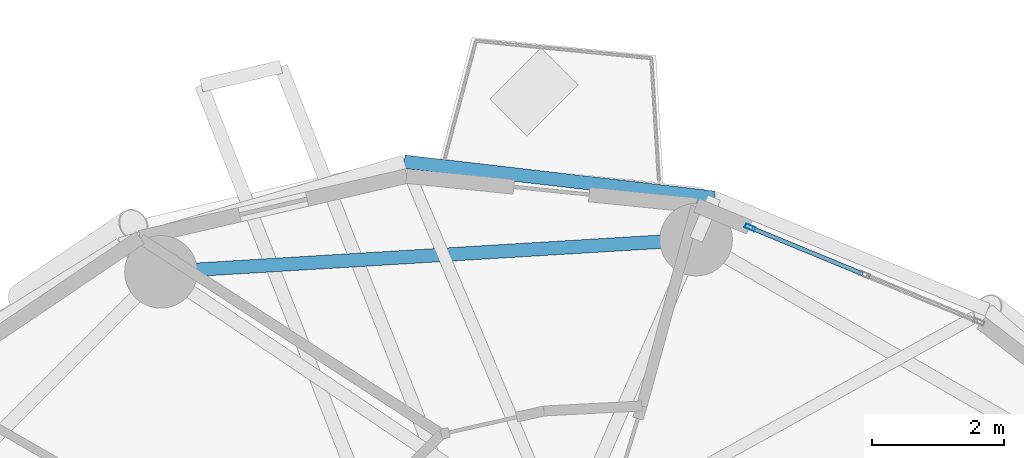
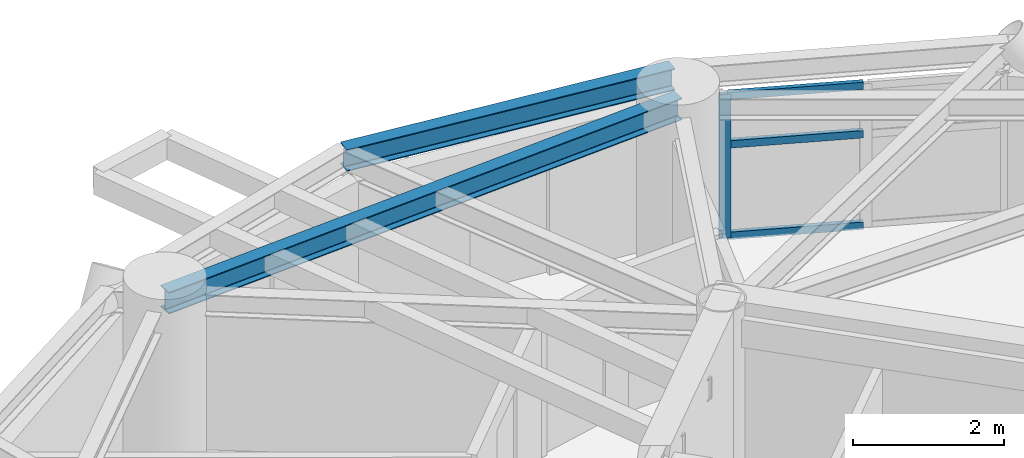
# One storey, part 5 of 17: 4 members, 2 beams, 1 element without a shape of its own.
"""IFC4 building model written with IfcOpenShell, lengths in metres."""

from ifc_helpers import new_model, si_unit, direction, frame, origin, origin_2d, place, context, subcontext, project, spatial, hollow_rectangle, i_section, extrude, material, layer, layer_set, material_profile, profile_set, type_object, element, aggregate, save


model = new_model("IFC4")

# Units and contexts
model_context = context("Model", 3, precision=1e-05, world=origin(), true_north=direction((0.0, 1.0)))
body_context = subcontext(model_context, "Body", "Model", "MODEL_VIEW")
ifc_project = project(units=[si_unit("LENGTHUNIT", "METRE"), si_unit("AREAUNIT", "SQUARE_METRE"), si_unit("VOLUMEUNIT", "CUBIC_METRE"), si_unit("PLANEANGLEUNIT", "RADIAN"), si_unit("MASSUNIT", "GRAM", prefix="KILO")], contexts=[model_context])

# Site, building, storey
site_placement = place(None, origin())
site = spatial("IfcSite", under=ifc_project, at=site_placement, CompositionType="ELEMENT")
building_placement = place(site_placement, origin())
building = spatial("IfcBuilding", under=site, at=building_placement, Name="Cununo Teusaquillo Station Towers", CompositionType="ELEMENT")
storey_placement = place(building_placement, frame((0.0, 0.0, 205.389892578125)))
storey = spatial("IfcBuildingStorey", under=building, at=storey_placement, Name="L65", CompositionType="ELEMENT", Elevation=205.389892578125)

# Beams
ifc_material_1 = material(Name="Steel ASTM A572 Grade 50", Category="steel")
ifc_material_profile_1 = material_profile(ifc_material_1, i_section(OverallWidth=0.2041015625, OverallDepth=0.35009765625, WebThickness=0.008544921875, FlangeThickness=0.01513671875, FilletRadius=0.011962890625, at=origin_2d()), Name="W14X48")
ifc_profile_set_1 = profile_set([ifc_material_profile_1], Name="Steel ASTM A572 Grade 50")
beam_type = type_object("IfcBeamType", Name="BM-RING-Z4", PredefinedType="SPANDREL", material=ifc_profile_set_1)
beam_1_placement = place(storey_placement, frame((58.291015625, 37.63525390625, 2.525146484375), z_axis=(-0.998190567048, -0.06012979176, 0.0), x_axis=(0.06012979176, -0.998190567048, 0.0)))
element("IfcBeam", 1, at=beam_1_placement, inside=storey, type_object=beam_type, Name="L65 Tower B Structural Column Ring Girder 02", PredefinedType="SPANDREL", context=body_context, shape_type="SweptSolid", body=[
    extrude(i_section(OverallWidth=0.2041015625, OverallDepth=0.35009765625, WebThickness=0.008544921875, FlangeThickness=0.01513671875, FilletRadius=0.011962890625, at=origin_2d()), origin(), (0.0, 0.0, 1.0), 8.132568359375),
])
beam_2_placement = place(storey_placement, frame((58.56591796875, 38.27001953125, 2.525146484375), z_axis=(-0.993313022334, 0.115452326356, 0.0), x_axis=(-0.115452326356, -0.993313022334, 0.0)))
element("IfcBeam", 2, at=beam_2_placement, inside=storey, type_object=beam_type, Name="L65 Tower B Spandrel Ring Beam 03", PredefinedType="SPANDREL", context=body_context, shape_type="SweptSolid", body=[
    extrude(i_section(OverallWidth=0.2041015625, OverallDepth=0.35009765625, WebThickness=0.008544921875, FlangeThickness=0.01513671875, FilletRadius=0.011962890625, at=origin_2d()), origin(), (0.0, 0.0, 1.0), 4.732666015625),
])

# Curtain wall, members
ifc_material_2 = material(Name="Ceramic-fritted dark low-E double glazing", Category="glass")
ifc_layer = layer(ifc_material_2, 0.179931640625)
ifc_layer_set = layer_set([ifc_layer], Name="Ceramic-fritted dark low-E double glazing")
curtain_wall_type = type_object("IfcCurtainWallType", Name="CW-SYS-07", PredefinedType="USERDEFINED", material=ifc_layer_set)
curtain_wall_placement = place(storey_placement, origin())
curtain_wall = element("IfcCurtainWall", 3, at=curtain_wall_placement, inside=storey, type_object=curtain_wall_type, Name="L65 Tower B Facade Curtain Wall C01", ObjectType="FRITTED GLAZING", PredefinedType="USERDEFINED")
ifc_material_3 = material(Name="Anodised dark bronze aluminium EN AW-6063-T6", Category="aluminium")
ifc_material_profile_2 = material_profile(ifc_material_3, hollow_rectangle(XDim=0.06494140625, YDim=0.159912109375, WallThickness=0.00390625, at=origin_2d()), Name="CW-MULL-65x160")
ifc_profile_set_2 = profile_set([ifc_material_profile_2], Name="Anodised dark bronze aluminium EN AW-6063-T6")
member_type_1 = type_object("IfcMemberType", Name="CWM-160", PredefinedType="MULLION", material=ifc_profile_set_2)
member_1_placement = place(storey_placement, frame((59.111328125, 37.818359375, 0.0), z_axis=(0.0, 0.0, 1.0), x_axis=(0.381310513086, 0.924447019904, 0.0)))
member_1 = element("IfcMember", 4, at=member_1_placement, type_object=member_type_1, Name="CW-07 mullion 1", PredefinedType="MULLION", context=body_context, shape_type="SweptSolid", body=[
    extrude(hollow_rectangle(XDim=0.06494140625, YDim=0.159912109375, WallThickness=0.00390625, at=origin_2d()), origin(), (0.0, 0.0, 1.0), 2.322021484375),
])
ifc_material_4 = material(Name="Anodised dark bronze aluminium EN AW-6063-T6", Category="aluminium")
ifc_material_profile_3 = material_profile(ifc_material_4, hollow_rectangle(XDim=0.06494140625, YDim=0.1201171875, WallThickness=0.00390625, at=origin_2d()), Name="CW-TRAN-65x120")
ifc_profile_set_3 = profile_set([ifc_material_profile_3], Name="Anodised dark bronze aluminium EN AW-6063-T6")
member_type_2 = type_object("IfcMemberType", Name="CWT-120", PredefinedType="USERDEFINED", material=ifc_profile_set_3)
member_2_placement = place(storey_placement, frame((59.141357421875, 37.805908203125, 0.03271484375), z_axis=(0.924457591038, -0.381284883483, 0.0), x_axis=(0.381284883483, 0.924457591038, 0.0)))
member_2 = element("IfcMember", 5, at=member_2_placement, type_object=member_type_2, Name="CW-07 transom 1.1", ObjectType="TRANSOM", PredefinedType="USERDEFINED", context=body_context, shape_type="SweptSolid", body=[
    extrude(hollow_rectangle(XDim=0.06494140625, YDim=0.1201171875, WallThickness=0.00390625, at=origin_2d()), origin(), (0.0, 0.0, 1.0), 1.812744140625),
])
member_3_placement = place(storey_placement, frame((59.141357421875, 37.805908203125, 1.509033203125), z_axis=(0.924457591038, -0.381284883483, 0.0), x_axis=(0.381284883483, 0.924457591038, 0.0)))
member_3 = element("IfcMember", 6, at=member_3_placement, type_object=member_type_2, Name="CW-07 transom 1.2", ObjectType="TRANSOM", PredefinedType="USERDEFINED", context=body_context, shape_type="SweptSolid", body=[
    extrude(hollow_rectangle(XDim=0.06494140625, YDim=0.1201171875, WallThickness=0.00390625, at=origin_2d()), origin(), (0.0, 0.0, 1.0), 1.812744140625),
])
member_4_placement = place(storey_placement, frame((59.141357421875, 37.805908203125, 2.28955078125), z_axis=(0.924457591038, -0.381284883483, 0.0), x_axis=(0.381284883483, 0.924457591038, 0.0)))
member_4 = element("IfcMember", 7, at=member_4_placement, type_object=member_type_2, Name="CW-07 transom 1.3", ObjectType="TRANSOM", PredefinedType="USERDEFINED", context=body_context, shape_type="SweptSolid", body=[
    extrude(hollow_rectangle(XDim=0.06494140625, YDim=0.1201171875, WallThickness=0.00390625, at=origin_2d()), origin(), (0.0, 0.0, 1.0), 1.812744140625),
])
aggregate(curtain_wall, [member_1, member_2, member_3, member_4])

save(model, "model.ifc")
